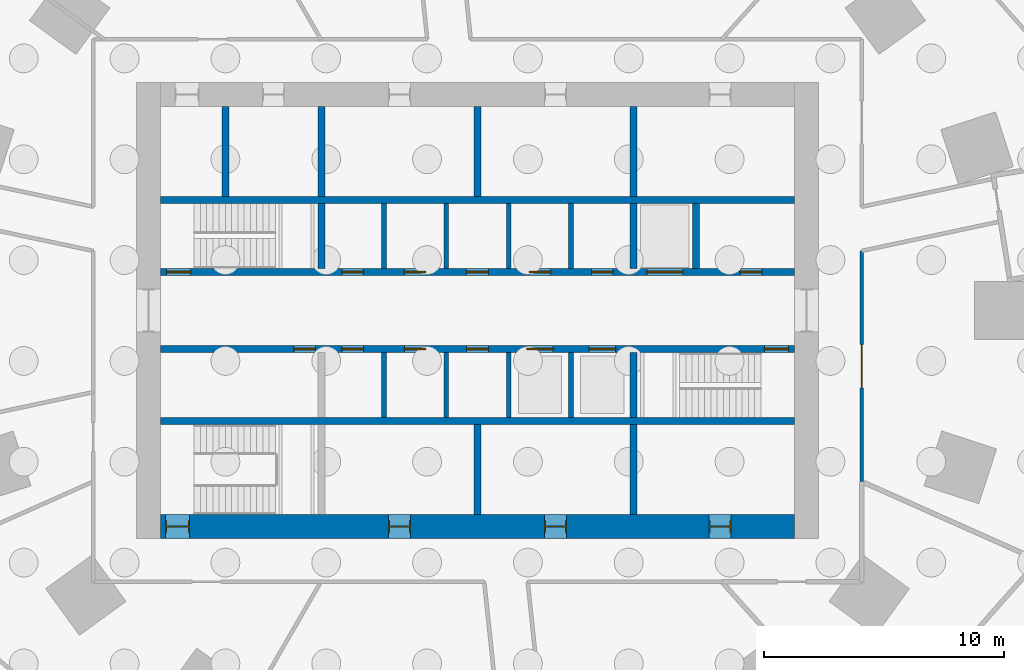
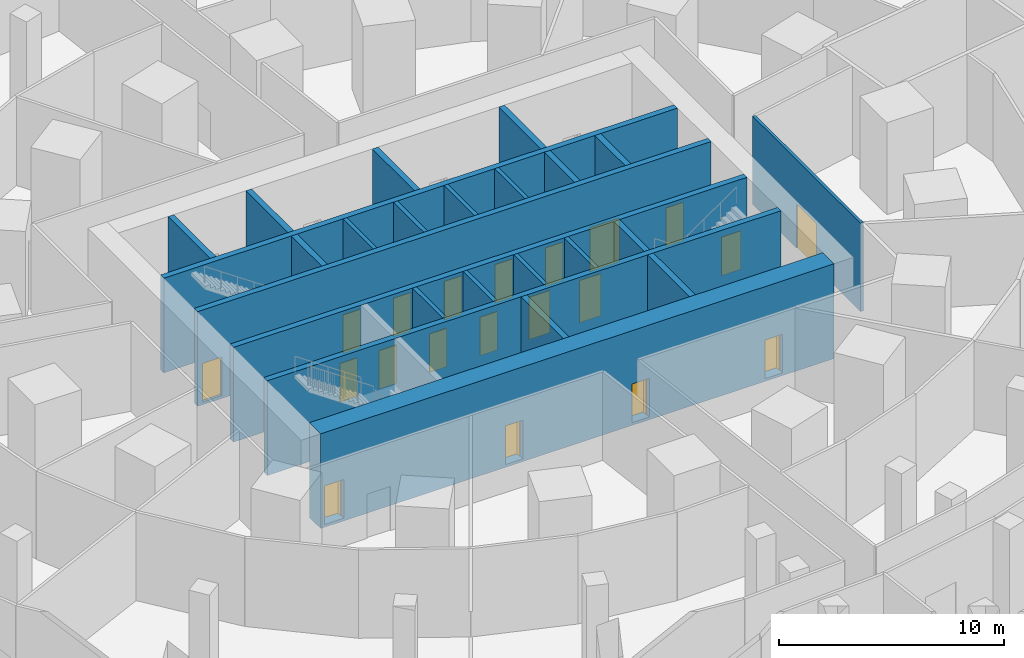
# One storey, part 6 of 11: 24 walls, 20 doors, 20 openings.
"""IFC4 building model written with IfcOpenShell, lengths in metres."""

from ifc_helpers import new_model, si_unit, direction, frame, frame_2d, origin, place, context, subcontext, project, spatial, rectangle, extrude, material, layer, layer_set, type_object, element, fill, save


model = new_model("IFC4")

# Units and contexts
model_context = context("Model", 3, precision=1e-05, world=origin(), true_north=direction((0.0, 1.0)))
body_context = subcontext(model_context, "Body", "Model", "MODEL_VIEW")
ifc_project = project(units=[si_unit("LENGTHUNIT", "METRE"), si_unit("AREAUNIT", "SQUARE_METRE"), si_unit("VOLUMEUNIT", "CUBIC_METRE"), si_unit("PLANEANGLEUNIT", "RADIAN"), si_unit("MASSUNIT", "GRAM", prefix="KILO")], contexts=[model_context])

# Site, building, storey
site_placement = place(None, origin())
site = spatial("IfcSite", under=ifc_project, at=site_placement, CompositionType="ELEMENT")
building_placement = place(site_placement, origin())
building = spatial("IfcBuilding", under=site, at=building_placement, Name="Marramba Exchange Tower", CompositionType="ELEMENT")
storey_placement = place(building_placement, frame((0.0, 0.0, -5.0)))
storey = spatial("IfcBuildingStorey", under=building, at=storey_placement, Name="B1", CompositionType="ELEMENT", Elevation=-5.0)

# Walls
ifc_material_1 = material(Name="Concrete N50", Category="concrete")
ifc_layer_1 = layer(ifc_material_1, 0.199951171875)
ifc_layer_set_1 = layer_set([ifc_layer_1], Name="Core shaft wall 200")
wall_type_1 = type_object("IfcWallType", Name="Core shaft wall 200", PredefinedType="SHEAR", material=ifc_layer_set_1)
for number, where, z_axis, x_axis, name in (
    (1, (-3.89990234375, 1.75, -0.14990234375), (0.0, 0.0, 1.0), (0.0, 1.0, 0.0), "Core wall SHN1 B1"),
    (2, (-1.300048828125, 1.75, -0.14990234375), (0.0, 0.0, 1.0), (0.0, 1.0, 0.0), "Core wall SHN2 B1"),
    (3, (1.300048828125, 1.75, -0.14990234375), (0.0, 0.0, 1.0), (0.0, 1.0, 0.0), "Core wall SHN3 B1"),
    (4, (3.89990234375, 1.75, -0.14990234375), (0.0, 0.0, 1.0), (0.0, 1.0, 0.0), "Core wall SHN4 B1"),
    (5, (-3.89990234375, -1.75, -0.14990234375), (0.0, 0.0, 1.0), (0.0, -1.0, 0.0), "Core wall SHS1 B1"),
    (6, (-1.300048828125, -1.75, -0.14990234375), (0.0, 0.0, 1.0), (0.0, -1.0, 0.0), "Core wall SHS2 B1"),
    (7, (1.300048828125, -1.75, -0.14990234375), (0.0, 0.0, 1.0), (0.0, -1.0, 0.0), "Core wall SHS3 B1"),
    (8, (3.89990234375, -1.75, -0.14990234375), (0.0, 0.0, 1.0), (0.0, -1.0, 0.0), "Core wall SHS4 B1"),
):
    element("IfcWall", number, at=place(storey_placement, frame(where, z_axis=z_axis, x_axis=x_axis)), inside=storey, type_object=wall_type_1, Name=name, PredefinedType="SHEAR", context=body_context, shape_type="SweptSolid", body=[
        extrude(rectangle(XDim=2.699951171875, YDim=0.199951171875, at=frame_2d((1.35009765625, 0.0))), origin(), (0.0, 0.0, 1.0), 5.14990234375),
    ])

# Wall, openings, doors
ifc_layer_2 = layer(ifc_material_1, 1.0)
ifc_layer_set_2 = layer_set([ifc_layer_2], Name="Core wall 1000")
wall_type_2 = type_object("IfcWallType", Name="Core wall 1000", PredefinedType="SHEAR", material=ifc_layer_set_2)
wall_1_placement = place(storey_placement, frame((-13.199951171875, -9.0, -0.14990234375), z_axis=(0.0, 0.0, 1.0), x_axis=(1.0, 0.0, 0.0)))
wall_1 = element("IfcWall", 9, at=wall_1_placement, inside=storey, type_object=wall_type_2, Name="Core wall S B1", PredefinedType="SHEAR", context=body_context, shape_type="SweptSolid", body=[
    extrude(rectangle(XDim=26.39990234375, YDim=1.0, at=frame_2d((13.199951171875, 0.0))), origin(), (0.0, 0.0, 1.0), 5.14990234375),
])
opening_1_placement = place(wall_1_placement, frame((0.199951171875, 0.0, 0.14990234375)))
opening_1 = element("IfcOpeningElement", 10, at=opening_1_placement, cuts=wall_1, Name="Opening D2", PredefinedType="OPENING", context=body_context, shape_type="SweptSolid", body=[
    extrude(rectangle(XDim=1.0, YDim=2.10009765625, at=frame_2d((0.5, 1.050048828125))), frame((0.0, 0.510009765625, 0.0), z_axis=(0.0, -1.0, 0.0), x_axis=(1.0, 0.0, 0.0)), (0.0, 0.0, 1.0), 1.02001953125),
])
opening_2_placement = place(wall_1_placement, frame((9.5, 0.0, 0.14990234375)))
opening_2 = element("IfcOpeningElement", 11, at=opening_2_placement, cuts=wall_1, Name="Opening D5", PredefinedType="OPENING", context=body_context, shape_type="SweptSolid", body=[
    extrude(rectangle(XDim=0.89990234375, YDim=2.10009765625, at=frame_2d((0.449951171875, 1.050048828125))), frame((0.0, 0.510009765625, 0.0), z_axis=(0.0, -1.0, 0.0), x_axis=(1.0, 0.0, 0.0)), (0.0, 0.0, 1.0), 1.02001953125),
])
opening_3_placement = place(wall_1_placement, frame((16.0, 0.0, 0.14990234375)))
opening_3 = element("IfcOpeningElement", 12, at=opening_3_placement, cuts=wall_1, Name="Opening D5", PredefinedType="OPENING", context=body_context, shape_type="SweptSolid", body=[
    extrude(rectangle(XDim=0.89990234375, YDim=2.10009765625, at=frame_2d((0.449951171875, 1.050048828125))), frame((0.0, 0.510009765625, 0.0), z_axis=(0.0, -1.0, 0.0), x_axis=(1.0, 0.0, 0.0)), (0.0, 0.0, 1.0), 1.02001953125),
])
opening_4_placement = place(wall_1_placement, frame((22.85009765625, 0.0, 0.14990234375)))
opening_4 = element("IfcOpeningElement", 13, at=opening_4_placement, cuts=wall_1, Name="Opening D5", PredefinedType="OPENING", context=body_context, shape_type="SweptSolid", body=[
    extrude(rectangle(XDim=0.89990234375, YDim=2.10009765625, at=frame_2d((0.449951171875, 1.050048828125))), frame((0.0, 0.510009765625, 0.0), z_axis=(0.0, -1.0, 0.0), x_axis=(1.0, 0.0, 0.0)), (0.0, 0.0, 1.0), 1.02001953125),
])
ifc_material_2 = material(Name="Steel-framed door", Category="steel")
door_type_1 = type_object("IfcDoorType", Name="Service door 900x2100", OperationType="SINGLE_SWING_LEFT", PredefinedType="DOOR", material=ifc_material_2)
door_1_placement = place(opening_2_placement, origin())
door_1 = element("IfcDoor", 14, at=door_1_placement, inside=storey, type_object=door_type_1, Name="D5 ahu B1", OperationType="SINGLE_SWING_RIGHT", OverallHeight=2.10009765625, OverallWidth=0.89990234375, PredefinedType="DOOR", context=body_context, shape_type="SweptSolid", body=[
    extrude(rectangle(XDim=0.81982421875, YDim=2.06005859375, at=frame_2d((0.449951171875, 1.030029296875))), frame((0.0, 0.02490234375, 0.0), z_axis=(0.0, -1.0, 0.0), x_axis=(1.0, 0.0, 0.0)), (0.0, 0.0, 1.0), 0.050048828125),
    extrude(rectangle(XDim=0.04, YDim=2.10009765625, at=frame_2d((0.02001953125, 1.050048828125))), frame((0.0, 0.25, 0.0), z_axis=(0.0, -1.0, 0.0), x_axis=(1.0, 0.0, 0.0)), (0.0, 0.0, 1.0), 0.5),
    extrude(rectangle(XDim=0.04, YDim=2.10009765625, at=frame_2d((0.8798828125, 1.050048828125))), frame((0.0, 0.25, 0.0), z_axis=(0.0, -1.0, 0.0), x_axis=(1.0, 0.0, 0.0)), (0.0, 0.0, 1.0), 0.5),
    extrude(rectangle(XDim=0.81982421875, YDim=0.04, at=frame_2d((0.449951171875, 2.080078125))), frame((0.0, 0.25, 0.0), z_axis=(0.0, -1.0, 0.0), x_axis=(1.0, 0.0, 0.0)), (0.0, 0.0, 1.0), 0.5),
])
fill(opening_2, door_1)
door_2_placement = place(opening_3_placement, origin())
door_2 = element("IfcDoor", 15, at=door_2_placement, inside=storey, type_object=door_type_1, Name="D5 switch B1", OperationType="SINGLE_SWING_RIGHT", OverallHeight=2.10009765625, OverallWidth=0.89990234375, PredefinedType="DOOR", context=body_context, shape_type="SweptSolid", body=[
    extrude(rectangle(XDim=0.81982421875, YDim=2.06005859375, at=frame_2d((0.449951171875, 1.030029296875))), frame((0.0, 0.02490234375, 0.0), z_axis=(0.0, -1.0, 0.0), x_axis=(1.0, 0.0, 0.0)), (0.0, 0.0, 1.0), 0.050048828125),
    extrude(rectangle(XDim=0.04, YDim=2.10009765625, at=frame_2d((0.02001953125, 1.050048828125))), frame((0.0, 0.25, 0.0), z_axis=(0.0, -1.0, 0.0), x_axis=(1.0, 0.0, 0.0)), (0.0, 0.0, 1.0), 0.5),
    extrude(rectangle(XDim=0.04, YDim=2.10009765625, at=frame_2d((0.8798828125, 1.050048828125))), frame((0.0, 0.25, 0.0), z_axis=(0.0, -1.0, 0.0), x_axis=(1.0, 0.0, 0.0)), (0.0, 0.0, 1.0), 0.5),
    extrude(rectangle(XDim=0.81982421875, YDim=0.04, at=frame_2d((0.449951171875, 2.080078125))), frame((0.0, 0.25, 0.0), z_axis=(0.0, -1.0, 0.0), x_axis=(1.0, 0.0, 0.0)), (0.0, 0.0, 1.0), 0.5),
])
fill(opening_3, door_2)
door_3_placement = place(opening_4_placement, origin())
door_3 = element("IfcDoor", 16, at=door_3_placement, inside=storey, type_object=door_type_1, Name="D5 cstore B1", OperationType="SINGLE_SWING_RIGHT", OverallHeight=2.10009765625, OverallWidth=0.89990234375, PredefinedType="DOOR", context=body_context, shape_type="SweptSolid", body=[
    extrude(rectangle(XDim=0.81982421875, YDim=2.06005859375, at=frame_2d((0.449951171875, 1.030029296875))), frame((0.0, 0.02490234375, 0.0), z_axis=(0.0, -1.0, 0.0), x_axis=(1.0, 0.0, 0.0)), (0.0, 0.0, 1.0), 0.050048828125),
    extrude(rectangle(XDim=0.04, YDim=2.10009765625, at=frame_2d((0.02001953125, 1.050048828125))), frame((0.0, 0.25, 0.0), z_axis=(0.0, -1.0, 0.0), x_axis=(1.0, 0.0, 0.0)), (0.0, 0.0, 1.0), 0.5),
    extrude(rectangle(XDim=0.04, YDim=2.10009765625, at=frame_2d((0.8798828125, 1.050048828125))), frame((0.0, 0.25, 0.0), z_axis=(0.0, -1.0, 0.0), x_axis=(1.0, 0.0, 0.0)), (0.0, 0.0, 1.0), 0.5),
    extrude(rectangle(XDim=0.81982421875, YDim=0.04, at=frame_2d((0.449951171875, 2.080078125))), frame((0.0, 0.25, 0.0), z_axis=(0.0, -1.0, 0.0), x_axis=(1.0, 0.0, 0.0)), (0.0, 0.0, 1.0), 0.5),
])
fill(opening_4, door_3)
door_type_2 = type_object("IfcDoorType", Name="Stair door 1000x2100", OperationType="SINGLE_SWING_LEFT", PredefinedType="DOOR", material=ifc_material_2)
door_4_placement = place(opening_1_placement, origin())
door_4 = element("IfcDoor", 17, at=door_4_placement, inside=storey, type_object=door_type_2, Name="D2 stair ST3 B1", OperationType="SINGLE_SWING_LEFT", OverallHeight=2.10009765625, OverallWidth=1.0, PredefinedType="DOOR", context=body_context, shape_type="SweptSolid", body=[
    extrude(rectangle(XDim=0.919921875, YDim=2.06005859375, at=frame_2d((0.5, 1.030029296875))), frame((0.0, 0.02490234375, 0.0), z_axis=(0.0, -1.0, 0.0), x_axis=(1.0, 0.0, 0.0)), (0.0, 0.0, 1.0), 0.050048828125),
    extrude(rectangle(XDim=0.04, YDim=2.10009765625, at=frame_2d((0.02001953125, 1.050048828125))), frame((0.0, 0.25, 0.0), z_axis=(0.0, -1.0, 0.0), x_axis=(1.0, 0.0, 0.0)), (0.0, 0.0, 1.0), 0.5),
    extrude(rectangle(XDim=0.04, YDim=2.10009765625, at=frame_2d((0.97998046875, 1.050048828125))), frame((0.0, 0.25, 0.0), z_axis=(0.0, -1.0, 0.0), x_axis=(1.0, 0.0, 0.0)), (0.0, 0.0, 1.0), 0.5),
    extrude(rectangle(XDim=0.919921875, YDim=0.04, at=frame_2d((0.5, 2.080078125))), frame((0.0, 0.25, 0.0), z_axis=(0.0, -1.0, 0.0), x_axis=(1.0, 0.0, 0.0)), (0.0, 0.0, 1.0), 0.5),
])
fill(opening_1, door_4)

ifc_layer_3 = layer(ifc_material_1, 0.300048828125)
ifc_layer_set_3 = layer_set([ifc_layer_3], Name="Core wall 300")
wall_type_3 = type_object("IfcWallType", Name="Core wall 300", PredefinedType="SHEAR", material=ifc_layer_set_3)
wall_2_placement = place(storey_placement, frame((-13.199951171875, 1.60009765625, -0.14990234375), z_axis=(0.0, 0.0, 1.0), x_axis=(1.0, 0.0, 0.0)))
wall_2 = element("IfcWall", 18, at=wall_2_placement, inside=storey, type_object=wall_type_3, Name="Core wall LN B1", PredefinedType="SHEAR", context=body_context, shape_type="SweptSolid", body=[
    extrude(rectangle(XDim=26.39990234375, YDim=0.300048828125, at=frame_2d((13.199951171875, 0.0))), origin(), (0.0, 0.0, 1.0), 5.14990234375),
])
opening_5_placement = place(wall_2_placement, frame((0.25, 0.0, 0.14990234375)))
opening_5 = element("IfcOpeningElement", 19, at=opening_5_placement, cuts=wall_2, Name="Opening D2", PredefinedType="OPENING", context=body_context, shape_type="SweptSolid", body=[
    extrude(rectangle(XDim=1.0, YDim=2.10009765625, at=frame_2d((0.5, 1.050048828125))), frame((0.0, 0.159912109375, 0.0), z_axis=(0.0, -1.0, 0.0), x_axis=(1.0, 0.0, 0.0)), (0.0, 0.0, 1.0), 0.320068359375),
])
opening_6_placement = place(wall_2_placement, frame((20.25, 0.0, 0.14990234375)))
opening_6 = element("IfcOpeningElement", 20, at=opening_6_placement, cuts=wall_2, Name="Opening LD3", PredefinedType="OPENING", context=body_context, shape_type="SweptSolid", body=[
    extrude(rectangle(XDim=1.5, YDim=2.39990234375, at=frame_2d((0.75, 1.199951171875))), frame((0.0, 0.159912109375, 0.0), z_axis=(0.0, -1.0, 0.0), x_axis=(1.0, 0.0, 0.0)), (0.0, 0.0, 1.0), 0.320068359375),
])
opening_7_placement = place(wall_2_placement, frame((7.550048828125, 0.0, 0.14990234375)))
opening_7 = element("IfcOpeningElement", 21, at=opening_7_placement, cuts=wall_2, Name="Opening D5", PredefinedType="OPENING", context=body_context, shape_type="SweptSolid", body=[
    extrude(rectangle(XDim=0.89990234375, YDim=2.10009765625, at=frame_2d((0.449951171875, 1.050048828125))), frame((0.0, 0.159912109375, 0.0), z_axis=(0.0, -1.0, 0.0), x_axis=(1.0, 0.0, 0.0)), (0.0, 0.0, 1.0), 0.320068359375),
])
opening_8_placement = place(wall_2_placement, frame((10.14990234375, 0.0, 0.14990234375)))
opening_8 = element("IfcOpeningElement", 22, at=opening_8_placement, cuts=wall_2, Name="Opening D5", PredefinedType="OPENING", context=body_context, shape_type="SweptSolid", body=[
    extrude(rectangle(XDim=0.89990234375, YDim=2.10009765625, at=frame_2d((0.449951171875, 1.050048828125))), frame((0.0, 0.159912109375, 0.0), z_axis=(0.0, -1.0, 0.0), x_axis=(1.0, 0.0, 0.0)), (0.0, 0.0, 1.0), 0.320068359375),
])
opening_9_placement = place(wall_2_placement, frame((12.75, 0.0, 0.14990234375)))
opening_9 = element("IfcOpeningElement", 23, at=opening_9_placement, cuts=wall_2, Name="Opening D5", PredefinedType="OPENING", context=body_context, shape_type="SweptSolid", body=[
    extrude(rectangle(XDim=0.89990234375, YDim=2.10009765625, at=frame_2d((0.449951171875, 1.050048828125))), frame((0.0, 0.159912109375, 0.0), z_axis=(0.0, -1.0, 0.0), x_axis=(1.0, 0.0, 0.0)), (0.0, 0.0, 1.0), 0.320068359375),
])
opening_10_placement = place(wall_2_placement, frame((15.35009765625, 0.0, 0.14990234375)))
opening_10 = element("IfcOpeningElement", 24, at=opening_10_placement, cuts=wall_2, Name="Opening D5", PredefinedType="OPENING", context=body_context, shape_type="SweptSolid", body=[
    extrude(rectangle(XDim=0.89990234375, YDim=2.10009765625, at=frame_2d((0.449951171875, 1.050048828125))), frame((0.0, 0.159912109375, 0.0), z_axis=(0.0, -1.0, 0.0), x_axis=(1.0, 0.0, 0.0)), (0.0, 0.0, 1.0), 0.320068359375),
])
opening_11_placement = place(wall_2_placement, frame((17.949951171875, 0.0, 0.14990234375)))
opening_11 = element("IfcOpeningElement", 25, at=opening_11_placement, cuts=wall_2, Name="Opening D5", PredefinedType="OPENING", context=body_context, shape_type="SweptSolid", body=[
    extrude(rectangle(XDim=0.89990234375, YDim=2.10009765625, at=frame_2d((0.449951171875, 1.050048828125))), frame((0.0, 0.159912109375, 0.0), z_axis=(0.0, -1.0, 0.0), x_axis=(1.0, 0.0, 0.0)), (0.0, 0.0, 1.0), 0.320068359375),
])
opening_12_placement = place(wall_2_placement, frame((24.14990234375, 0.0, 0.14990234375)))
opening_12 = element("IfcOpeningElement", 26, at=opening_12_placement, cuts=wall_2, Name="Opening D5", PredefinedType="OPENING", context=body_context, shape_type="SweptSolid", body=[
    extrude(rectangle(XDim=0.89990234375, YDim=2.10009765625, at=frame_2d((0.449951171875, 1.050048828125))), frame((0.0, 0.159912109375, 0.0), z_axis=(0.0, -1.0, 0.0), x_axis=(1.0, 0.0, 0.0)), (0.0, 0.0, 1.0), 0.320068359375),
])
door_type_3 = type_object("IfcDoorType", Name="Goods lift landing door 1500x2400", OperationType="SLIDING_TO_LEFT", PredefinedType="DOOR", material=ifc_material_2)
door_5_placement = place(opening_6_placement, origin())
door_5 = element("IfcDoor", 27, at=door_5_placement, inside=storey, type_object=door_type_3, Name="GL1 landing door B1", OperationType="SLIDING_TO_RIGHT", OverallHeight=2.39990234375, OverallWidth=1.5, PredefinedType="DOOR", context=body_context, shape_type="SweptSolid", body=[
    extrude(rectangle(XDim=1.5, YDim=2.39990234375, at=frame_2d((0.75, 1.199951171875))), frame((0.0, 0.02490234375, 0.0), z_axis=(0.0, -1.0, 0.0), x_axis=(1.0, 0.0, 0.0)), (0.0, 0.0, 1.0), 0.050048828125),
])
fill(opening_6, door_5)
door_6_placement = place(opening_7_placement, origin())
door_6 = element("IfcDoor", 28, at=door_6_placement, inside=storey, type_object=door_type_1, Name="D5 store n1 B1", OperationType="SINGLE_SWING_RIGHT", OverallHeight=2.10009765625, OverallWidth=0.89990234375, PredefinedType="DOOR", context=body_context, shape_type="SweptSolid", body=[
    extrude(rectangle(XDim=0.89990234375, YDim=2.10009765625, at=frame_2d((0.449951171875, 1.050048828125))), frame((0.0, 0.02490234375, 0.0), z_axis=(0.0, -1.0, 0.0), x_axis=(1.0, 0.0, 0.0)), (0.0, 0.0, 1.0), 0.050048828125),
])
fill(opening_7, door_6)
door_7_placement = place(opening_8_placement, origin())
door_7 = element("IfcDoor", 29, at=door_7_placement, inside=storey, type_object=door_type_1, Name="D5 store n2 B1", OperationType="SINGLE_SWING_RIGHT", OverallHeight=2.10009765625, OverallWidth=0.89990234375, PredefinedType="DOOR", context=body_context, shape_type="SweptSolid", body=[
    extrude(rectangle(XDim=0.89990234375, YDim=2.10009765625, at=frame_2d((0.449951171875, 1.050048828125))), frame((0.0, 0.02490234375, 0.0), z_axis=(0.0, -1.0, 0.0), x_axis=(1.0, 0.0, 0.0)), (0.0, 0.0, 1.0), 0.050048828125),
])
fill(opening_8, door_7)
door_8_placement = place(opening_9_placement, origin())
door_8 = element("IfcDoor", 30, at=door_8_placement, inside=storey, type_object=door_type_1, Name="D5 store n3 B1", OperationType="SINGLE_SWING_RIGHT", OverallHeight=2.10009765625, OverallWidth=0.89990234375, PredefinedType="DOOR", context=body_context, shape_type="SweptSolid", body=[
    extrude(rectangle(XDim=0.89990234375, YDim=2.10009765625, at=frame_2d((0.449951171875, 1.050048828125))), frame((0.0, 0.02490234375, 0.0), z_axis=(0.0, -1.0, 0.0), x_axis=(1.0, 0.0, 0.0)), (0.0, 0.0, 1.0), 0.050048828125),
])
fill(opening_9, door_8)
door_9_placement = place(opening_10_placement, origin())
door_9 = element("IfcDoor", 31, at=door_9_placement, inside=storey, type_object=door_type_1, Name="D5 store n4 B1", OperationType="SINGLE_SWING_RIGHT", OverallHeight=2.10009765625, OverallWidth=0.89990234375, PredefinedType="DOOR", context=body_context, shape_type="SweptSolid", body=[
    extrude(rectangle(XDim=0.89990234375, YDim=2.10009765625, at=frame_2d((0.449951171875, 1.050048828125))), frame((0.0, 0.02490234375, 0.0), z_axis=(0.0, -1.0, 0.0), x_axis=(1.0, 0.0, 0.0)), (0.0, 0.0, 1.0), 0.050048828125),
])
fill(opening_10, door_9)
door_10_placement = place(opening_11_placement, origin())
door_10 = element("IfcDoor", 32, at=door_10_placement, inside=storey, type_object=door_type_1, Name="D5 store n5 B1", OperationType="SINGLE_SWING_RIGHT", OverallHeight=2.10009765625, OverallWidth=0.89990234375, PredefinedType="DOOR", context=body_context, shape_type="SweptSolid", body=[
    extrude(rectangle(XDim=0.89990234375, YDim=2.10009765625, at=frame_2d((0.449951171875, 1.050048828125))), frame((0.0, 0.02490234375, 0.0), z_axis=(0.0, -1.0, 0.0), x_axis=(1.0, 0.0, 0.0)), (0.0, 0.0, 1.0), 0.050048828125),
])
fill(opening_11, door_10)
door_11_placement = place(opening_12_placement, origin())
door_11 = element("IfcDoor", 33, at=door_11_placement, inside=storey, type_object=door_type_1, Name="D5 riser B1", OperationType="SINGLE_SWING_RIGHT", OverallHeight=2.10009765625, OverallWidth=0.89990234375, PredefinedType="DOOR", context=body_context, shape_type="SweptSolid", body=[
    extrude(rectangle(XDim=0.89990234375, YDim=2.10009765625, at=frame_2d((0.449951171875, 1.050048828125))), frame((0.0, 0.02490234375, 0.0), z_axis=(0.0, -1.0, 0.0), x_axis=(1.0, 0.0, 0.0)), (0.0, 0.0, 1.0), 0.050048828125),
])
fill(opening_12, door_11)
door_12_placement = place(opening_5_placement, origin())
door_12 = element("IfcDoor", 34, at=door_12_placement, inside=storey, type_object=door_type_2, Name="D2 stair ST1 B1", OperationType="SINGLE_SWING_LEFT", OverallHeight=2.10009765625, OverallWidth=1.0, PredefinedType="DOOR", context=body_context, shape_type="SweptSolid", body=[
    extrude(rectangle(XDim=1.0, YDim=2.10009765625, at=frame_2d((0.5, 1.050048828125))), frame((0.0, 0.02490234375, 0.0), z_axis=(0.0, -1.0, 0.0), x_axis=(1.0, 0.0, 0.0)), (0.0, 0.0, 1.0), 0.050048828125),
])
fill(opening_5, door_12)

wall_3_placement = place(storey_placement, frame((-13.199951171875, -1.60009765625, -0.14990234375), z_axis=(0.0, 0.0, 1.0), x_axis=(1.0, 0.0, 0.0)))
wall_3 = element("IfcWall", 35, at=wall_3_placement, inside=storey, type_object=wall_type_3, Name="Core wall LS B1", PredefinedType="SHEAR", context=body_context, shape_type="SweptSolid", body=[
    extrude(rectangle(XDim=26.39990234375, YDim=0.300048828125, at=frame_2d((13.199951171875, 0.0))), origin(), (0.0, 0.0, 1.0), 5.14990234375),
])
opening_13_placement = place(wall_3_placement, frame((25.14990234375, 0.0, 0.14990234375)))
opening_13 = element("IfcOpeningElement", 36, at=opening_13_placement, cuts=wall_3, Name="Opening D2", PredefinedType="OPENING", context=body_context, shape_type="SweptSolid", body=[
    extrude(rectangle(XDim=1.0, YDim=2.10009765625, at=frame_2d((0.5, 1.050048828125))), frame((0.0, 0.159912109375, 0.0), z_axis=(0.0, -1.0, 0.0), x_axis=(1.0, 0.0, 0.0)), (0.0, 0.0, 1.0), 0.320068359375),
])
opening_14_placement = place(wall_3_placement, frame((7.550048828125, 0.0, 0.14990234375)))
opening_14 = element("IfcOpeningElement", 37, at=opening_14_placement, cuts=wall_3, Name="Opening D5", PredefinedType="OPENING", context=body_context, shape_type="SweptSolid", body=[
    extrude(rectangle(XDim=0.89990234375, YDim=2.10009765625, at=frame_2d((0.449951171875, 1.050048828125))), frame((0.0, 0.159912109375, 0.0), z_axis=(0.0, -1.0, 0.0), x_axis=(1.0, 0.0, 0.0)), (0.0, 0.0, 1.0), 0.320068359375),
])
opening_15_placement = place(wall_3_placement, frame((10.14990234375, 0.0, 0.14990234375)))
opening_15 = element("IfcOpeningElement", 38, at=opening_15_placement, cuts=wall_3, Name="Opening D5", PredefinedType="OPENING", context=body_context, shape_type="SweptSolid", body=[
    extrude(rectangle(XDim=0.89990234375, YDim=2.10009765625, at=frame_2d((0.449951171875, 1.050048828125))), frame((0.0, 0.159912109375, 0.0), z_axis=(0.0, -1.0, 0.0), x_axis=(1.0, 0.0, 0.0)), (0.0, 0.0, 1.0), 0.320068359375),
])
opening_16_placement = place(wall_3_placement, frame((12.75, 0.0, 0.14990234375)))
opening_16 = element("IfcOpeningElement", 39, at=opening_16_placement, cuts=wall_3, Name="Opening D5", PredefinedType="OPENING", context=body_context, shape_type="SweptSolid", body=[
    extrude(rectangle(XDim=0.89990234375, YDim=2.10009765625, at=frame_2d((0.449951171875, 1.050048828125))), frame((0.0, 0.159912109375, 0.0), z_axis=(0.0, -1.0, 0.0), x_axis=(1.0, 0.0, 0.0)), (0.0, 0.0, 1.0), 0.320068359375),
])
opening_17_placement = place(wall_3_placement, frame((15.25, 0.0, 0.14990234375)))
opening_17 = element("IfcOpeningElement", 40, at=opening_17_placement, cuts=wall_3, Name="Opening LD2", PredefinedType="OPENING", context=body_context, shape_type="SweptSolid", body=[
    extrude(rectangle(XDim=1.10009765625, YDim=2.300048828125, at=frame_2d((0.550048828125, 1.14990234375))), frame((0.0, 0.159912109375, 0.0), z_axis=(0.0, -1.0, 0.0), x_axis=(1.0, 0.0, 0.0)), (0.0, 0.0, 1.0), 0.320068359375),
])
opening_18_placement = place(wall_3_placement, frame((17.85009765625, 0.0, 0.14990234375)))
opening_18 = element("IfcOpeningElement", 41, at=opening_18_placement, cuts=wall_3, Name="Opening LD2", PredefinedType="OPENING", context=body_context, shape_type="SweptSolid", body=[
    extrude(rectangle(XDim=1.10009765625, YDim=2.300048828125, at=frame_2d((0.550048828125, 1.14990234375))), frame((0.0, 0.159912109375, 0.0), z_axis=(0.0, -1.0, 0.0), x_axis=(1.0, 0.0, 0.0)), (0.0, 0.0, 1.0), 0.320068359375),
])
opening_19_placement = place(wall_3_placement, frame((5.550048828125, 0.0, 0.14990234375)))
opening_19 = element("IfcOpeningElement", 42, at=opening_19_placement, cuts=wall_3, Name="Opening D5", PredefinedType="OPENING", context=body_context, shape_type="SweptSolid", body=[
    extrude(rectangle(XDim=0.89990234375, YDim=2.10009765625, at=frame_2d((0.449951171875, 1.050048828125))), frame((0.0, 0.159912109375, 0.0), z_axis=(0.0, -1.0, 0.0), x_axis=(1.0, 0.0, 0.0)), (0.0, 0.0, 1.0), 0.320068359375),
])
door_type_4 = type_object("IfcDoorType", Name="Emergency lift landing door 1100x2300", OperationType="SLIDING_TO_LEFT", PredefinedType="DOOR", material=ifc_material_2)
door_13_placement = place(opening_17_placement, frame((1.10009765625, 0.0, 0.0), z_axis=(0.0, 0.0, 1.0), x_axis=(-1.0, 0.0, 0.0)))
door_13 = element("IfcDoor", 43, at=door_13_placement, inside=storey, type_object=door_type_4, Name="FL1 landing door B1", OperationType="SLIDING_TO_RIGHT", OverallHeight=2.300048828125, OverallWidth=1.10009765625, PredefinedType="DOOR", context=body_context, shape_type="SweptSolid", body=[
    extrude(rectangle(XDim=1.10009765625, YDim=2.300048828125, at=frame_2d((0.550048828125, 1.14990234375))), frame((0.0, 0.025146484375, 0.0), z_axis=(0.0, -1.0, 0.0), x_axis=(1.0, 0.0, 0.0)), (0.0, 0.0, 1.0), 0.050048828125),
])
fill(opening_17, door_13)
door_14_placement = place(opening_18_placement, frame((1.10009765625, 0.0, 0.0), z_axis=(0.0, 0.0, 1.0), x_axis=(-1.0, 0.0, 0.0)))
door_14 = element("IfcDoor", 44, at=door_14_placement, inside=storey, type_object=door_type_4, Name="FL2 landing door B1", OperationType="SLIDING_TO_LEFT", OverallHeight=2.300048828125, OverallWidth=1.10009765625, PredefinedType="DOOR", context=body_context, shape_type="SweptSolid", body=[
    extrude(rectangle(XDim=1.10009765625, YDim=2.300048828125, at=frame_2d((0.550048828125, 1.14990234375))), frame((0.0, 0.025146484375, 0.0), z_axis=(0.0, -1.0, 0.0), x_axis=(1.0, 0.0, 0.0)), (0.0, 0.0, 1.0), 0.050048828125),
])
fill(opening_18, door_14)
door_15_placement = place(opening_14_placement, frame((0.89990234375, 0.0, 0.0), z_axis=(0.0, 0.0, 1.0), x_axis=(-1.0, 0.0, 0.0)))
door_15 = element("IfcDoor", 45, at=door_15_placement, inside=storey, type_object=door_type_1, Name="D5 store s1 B1", OperationType="SINGLE_SWING_RIGHT", OverallHeight=2.10009765625, OverallWidth=0.89990234375, PredefinedType="DOOR", context=body_context, shape_type="SweptSolid", body=[
    extrude(rectangle(XDim=0.89990234375, YDim=2.10009765625, at=frame_2d((0.449951171875, 1.050048828125))), frame((0.0, 0.025146484375, 0.0), z_axis=(0.0, -1.0, 0.0), x_axis=(1.0, 0.0, 0.0)), (0.0, 0.0, 1.0), 0.050048828125),
])
fill(opening_14, door_15)
door_16_placement = place(opening_15_placement, frame((0.89990234375, 0.0, 0.0), z_axis=(0.0, 0.0, 1.0), x_axis=(-1.0, 0.0, 0.0)))
door_16 = element("IfcDoor", 46, at=door_16_placement, inside=storey, type_object=door_type_1, Name="D5 store s2 B1", OperationType="SINGLE_SWING_RIGHT", OverallHeight=2.10009765625, OverallWidth=0.89990234375, PredefinedType="DOOR", context=body_context, shape_type="SweptSolid", body=[
    extrude(rectangle(XDim=0.89990234375, YDim=2.10009765625, at=frame_2d((0.449951171875, 1.050048828125))), frame((0.0, 0.025146484375, 0.0), z_axis=(0.0, -1.0, 0.0), x_axis=(1.0, 0.0, 0.0)), (0.0, 0.0, 1.0), 0.050048828125),
])
fill(opening_15, door_16)
door_17_placement = place(opening_16_placement, frame((0.89990234375, 0.0, 0.0), z_axis=(0.0, 0.0, 1.0), x_axis=(-1.0, 0.0, 0.0)))
door_17 = element("IfcDoor", 47, at=door_17_placement, inside=storey, type_object=door_type_1, Name="D5 store s3 B1", OperationType="SINGLE_SWING_RIGHT", OverallHeight=2.10009765625, OverallWidth=0.89990234375, PredefinedType="DOOR", context=body_context, shape_type="SweptSolid", body=[
    extrude(rectangle(XDim=0.89990234375, YDim=2.10009765625, at=frame_2d((0.449951171875, 1.050048828125))), frame((0.0, 0.025146484375, 0.0), z_axis=(0.0, -1.0, 0.0), x_axis=(1.0, 0.0, 0.0)), (0.0, 0.0, 1.0), 0.050048828125),
])
fill(opening_16, door_17)
door_18_placement = place(opening_19_placement, frame((0.89990234375, 0.0, 0.0), z_axis=(0.0, 0.0, 1.0), x_axis=(-1.0, 0.0, 0.0)))
door_18 = element("IfcDoor", 48, at=door_18_placement, inside=storey, type_object=door_type_1, Name="D5 electrical riser B1", OperationType="SINGLE_SWING_LEFT", OverallHeight=2.10009765625, OverallWidth=0.89990234375, PredefinedType="DOOR", context=body_context, shape_type="SweptSolid", body=[
    extrude(rectangle(XDim=0.89990234375, YDim=2.10009765625, at=frame_2d((0.449951171875, 1.050048828125))), frame((0.0, 0.025146484375, 0.0), z_axis=(0.0, -1.0, 0.0), x_axis=(1.0, 0.0, 0.0)), (0.0, 0.0, 1.0), 0.050048828125),
])
fill(opening_19, door_18)
door_19_placement = place(opening_13_placement, frame((1.0, 0.0, 0.0), z_axis=(0.0, 0.0, 1.0), x_axis=(-1.0, 0.0, 0.0)))
door_19 = element("IfcDoor", 49, at=door_19_placement, inside=storey, type_object=door_type_2, Name="D2 stair ST2 B1", OperationType="SINGLE_SWING_LEFT", OverallHeight=2.10009765625, OverallWidth=1.0, PredefinedType="DOOR", context=body_context, shape_type="SweptSolid", body=[
    extrude(rectangle(XDim=1.0, YDim=2.10009765625, at=frame_2d((0.5, 1.050048828125))), frame((0.0, 0.025146484375, 0.0), z_axis=(0.0, -1.0, 0.0), x_axis=(1.0, 0.0, 0.0)), (0.0, 0.0, 1.0), 0.050048828125),
])
fill(opening_13, door_19)

# Walls
for number, where, z_axis, x_axis, name in (
    (50, (-13.199951171875, 4.60009765625, -0.14990234375), (0.0, 0.0, 1.0), (1.0, 0.0, 0.0), "Core wall BN B1"),
    (51, (-13.199951171875, -4.60009765625, -0.14990234375), (0.0, 0.0, 1.0), (1.0, 0.0, 0.0), "Core wall BS B1"),
):
    element("IfcWall", number, at=place(storey_placement, frame(where, z_axis=z_axis, x_axis=x_axis)), inside=storey, type_object=wall_type_3, Name=name, PredefinedType="SHEAR", context=body_context, shape_type="SweptSolid", body=[
        extrude(rectangle(XDim=26.39990234375, YDim=0.300048828125, at=frame_2d((13.199951171875, 0.0))), origin(), (0.0, 0.0, 1.0), 5.14990234375),
    ])
wall_4_placement = place(storey_placement, frame((-6.5, 1.75, -0.14990234375), z_axis=(0.0, 0.0, 1.0), x_axis=(0.0, 1.0, 0.0)))
element("IfcWall", 52, at=wall_4_placement, inside=storey, type_object=wall_type_3, Name="Core wall X0Na B1", PredefinedType="SHEAR", context=body_context, shape_type="SweptSolid", body=[
    extrude(rectangle(XDim=2.699951171875, YDim=0.300048828125, at=frame_2d((1.35009765625, 0.0))), origin(), (0.0, 0.0, 1.0), 5.14990234375),
])
wall_5_placement = place(storey_placement, frame((-6.5, 4.75, -0.14990234375), z_axis=(0.0, 0.0, 1.0), x_axis=(0.0, 1.0, 0.0)))
element("IfcWall", 53, at=wall_5_placement, inside=storey, type_object=wall_type_3, Name="Core wall X0Nb B1", PredefinedType="SHEAR", context=body_context, shape_type="SweptSolid", body=[
    extrude(rectangle(XDim=3.75, YDim=0.300048828125, at=frame_2d((1.875, 0.0))), origin(), (0.0, 0.0, 1.0), 5.14990234375),
])
wall_6_placement = place(storey_placement, frame((6.5, 1.75, -0.14990234375), z_axis=(0.0, 0.0, 1.0), x_axis=(0.0, 1.0, 0.0)))
element("IfcWall", 54, at=wall_6_placement, inside=storey, type_object=wall_type_3, Name="Core wall X1Na B1", PredefinedType="SHEAR", context=body_context, shape_type="SweptSolid", body=[
    extrude(rectangle(XDim=2.699951171875, YDim=0.300048828125, at=frame_2d((1.35009765625, 0.0))), origin(), (0.0, 0.0, 1.0), 5.14990234375),
])
for number, where, z_axis, x_axis, name in (
    (55, (6.5, 4.75, -0.14990234375), (0.0, 0.0, 1.0), (0.0, 1.0, 0.0), "Core wall X1Nb B1"),
    (56, (0.0, 4.75, -0.14990234375), (0.0, 0.0, 1.0), (0.0, 1.0, 0.0), "Core wall MN B1"),
):
    element("IfcWall", number, at=place(storey_placement, frame(where, z_axis=z_axis, x_axis=x_axis)), inside=storey, type_object=wall_type_3, Name=name, PredefinedType="SHEAR", context=body_context, shape_type="SweptSolid", body=[
        extrude(rectangle(XDim=3.75, YDim=0.300048828125, at=frame_2d((1.875, 0.0))), origin(), (0.0, 0.0, 1.0), 5.14990234375),
    ])
wall_7_placement = place(storey_placement, frame((6.5, -1.75, -0.14990234375), z_axis=(0.0, 0.0, 1.0), x_axis=(0.0, -1.0, 0.0)))
element("IfcWall", 57, at=wall_7_placement, inside=storey, type_object=wall_type_3, Name="Core wall X1Sa B1", PredefinedType="SHEAR", context=body_context, shape_type="SweptSolid", body=[
    extrude(rectangle(XDim=2.699951171875, YDim=0.300048828125, at=frame_2d((1.35009765625, 0.0))), origin(), (0.0, 0.0, 1.0), 5.14990234375),
])
for number, where, z_axis, x_axis, name in (
    (58, (6.5, -4.75, -0.14990234375), (0.0, 0.0, 1.0), (0.0, -1.0, 0.0), "Core wall X1Sb B1"),
    (59, (0.0, -4.75, -0.14990234375), (0.0, 0.0, 1.0), (0.0, -1.0, 0.0), "Core wall MS B1"),
    (60, (-10.5, 4.75, -0.14990234375), (0.0, 0.0, 1.0), (0.0, 1.0, 0.0), "Core wall WD B1"),
):
    element("IfcWall", number, at=place(storey_placement, frame(where, z_axis=z_axis, x_axis=x_axis)), inside=storey, type_object=wall_type_3, Name=name, PredefinedType="SHEAR", context=body_context, shape_type="SweptSolid", body=[
        extrude(rectangle(XDim=3.75, YDim=0.300048828125, at=frame_2d((1.875, 0.0))), origin(), (0.0, 0.0, 1.0), 5.14990234375),
    ])
wall_8_placement = place(storey_placement, frame((9.10009765625, 1.75, -0.14990234375), z_axis=(0.0, 0.0, 1.0), x_axis=(0.0, 1.0, 0.0)))
element("IfcWall", 61, at=wall_8_placement, inside=storey, type_object=wall_type_3, Name="Core wall ED B1", PredefinedType="SHEAR", context=body_context, shape_type="SweptSolid", body=[
    extrude(rectangle(XDim=2.699951171875, YDim=0.300048828125, at=frame_2d((1.35009765625, 0.0))), origin(), (0.0, 0.0, 1.0), 5.14990234375),
])

# Wall, opening, door
ifc_material_3 = material(Name="Fire-rated plasterboard on steel studs, acoustic insulation", Category="steel")
ifc_layer_4 = layer(ifc_material_3, 0.14990234375)
ifc_layer_set_4 = layer_set([ifc_layer_4], Name="Tenancy wall 150")
wall_type_4 = type_object("IfcWallType", Name="Tenancy wall 150", PredefinedType="PARTITIONING", material=ifc_layer_set_4)
wall_9_placement = place(storey_placement, frame((16.0, -7.123779296875, 0.0), z_axis=(0.0, 0.0, 1.0), x_axis=(0.0, 1.0, 0.0)))
wall_9 = element("IfcWall", 62, at=wall_9_placement, inside=storey, type_object=wall_type_4, Name="Tenancy wall B1 60", PredefinedType="PARTITIONING", context=body_context, shape_type="SweptSolid", body=[
    extrude(rectangle(XDim=9.6044921875, YDim=0.14990234375, at=frame_2d((4.80224609375, 0.0))), origin(), (0.0, 0.0, 1.0), 4.800048828125),
])
opening_20_placement = place(wall_9_placement, frame((3.902099609375, 0.0, 0.0)))
opening_20 = element("IfcOpeningElement", 63, at=opening_20_placement, cuts=wall_9, Name="Opening D18", PredefinedType="OPENING", context=body_context, shape_type="SweptSolid", body=[
    extrude(rectangle(XDim=1.800048828125, YDim=2.39990234375, at=frame_2d((0.89990234375, 1.199951171875))), frame((0.0, 0.0849609375, 0.0), z_axis=(0.0, -1.0, 0.0), x_axis=(1.0, 0.0, 0.0)), (0.0, 0.0, 1.0), 0.169921875),
])
door_type_5 = type_object("IfcDoorType", Name="Door pair 1800x2400", OperationType="DOUBLE_DOOR_SINGLE_SWING", PredefinedType="DOOR", material=ifc_material_2)
door_20_placement = place(opening_20_placement, origin())
door_20 = element("IfcDoor", 64, at=door_20_placement, inside=storey, type_object=door_type_5, Name="D18 Bulk Store 1 B1", OperationType="DOUBLE_DOOR_SINGLE_SWING", OverallHeight=2.39990234375, OverallWidth=1.800048828125, PredefinedType="DOOR", context=body_context, shape_type="SweptSolid", body=[
    extrude(rectangle(XDim=1.800048828125, YDim=2.39990234375, at=frame_2d((0.89990234375, 1.199951171875))), frame((0.0, 0.02490234375, 0.0), z_axis=(0.0, -1.0, 0.0), x_axis=(1.0, 0.0, 0.0)), (0.0, 0.0, 1.0), 0.050048828125),
])
fill(opening_20, door_20)

save(model, "model.ifc")
